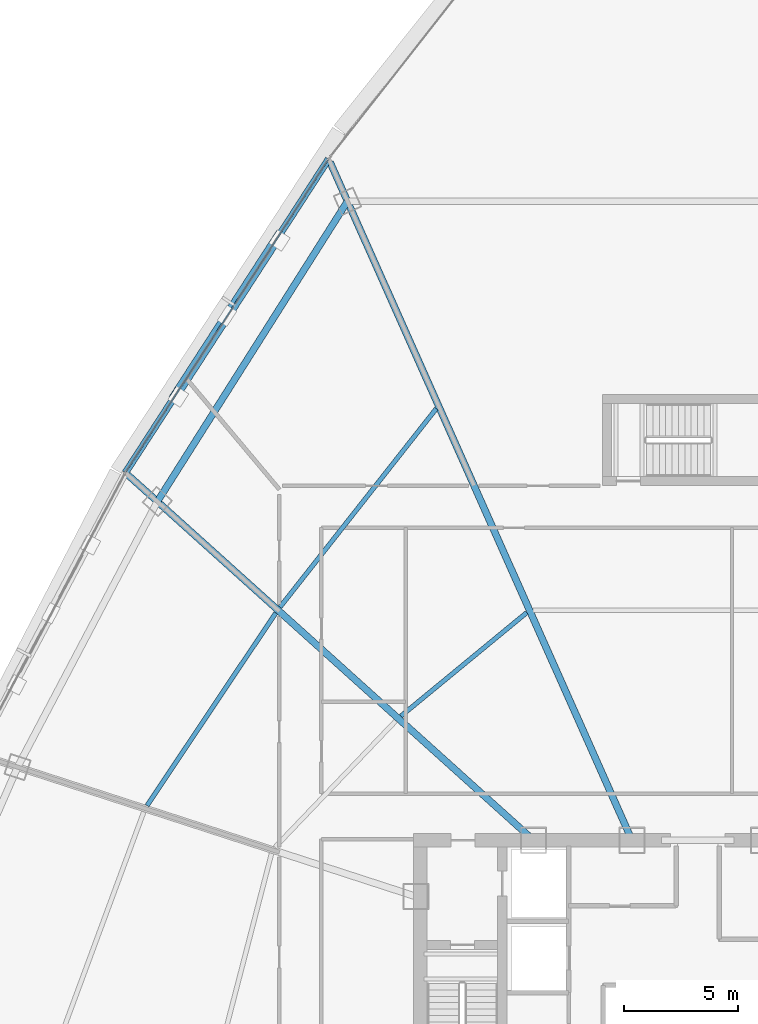
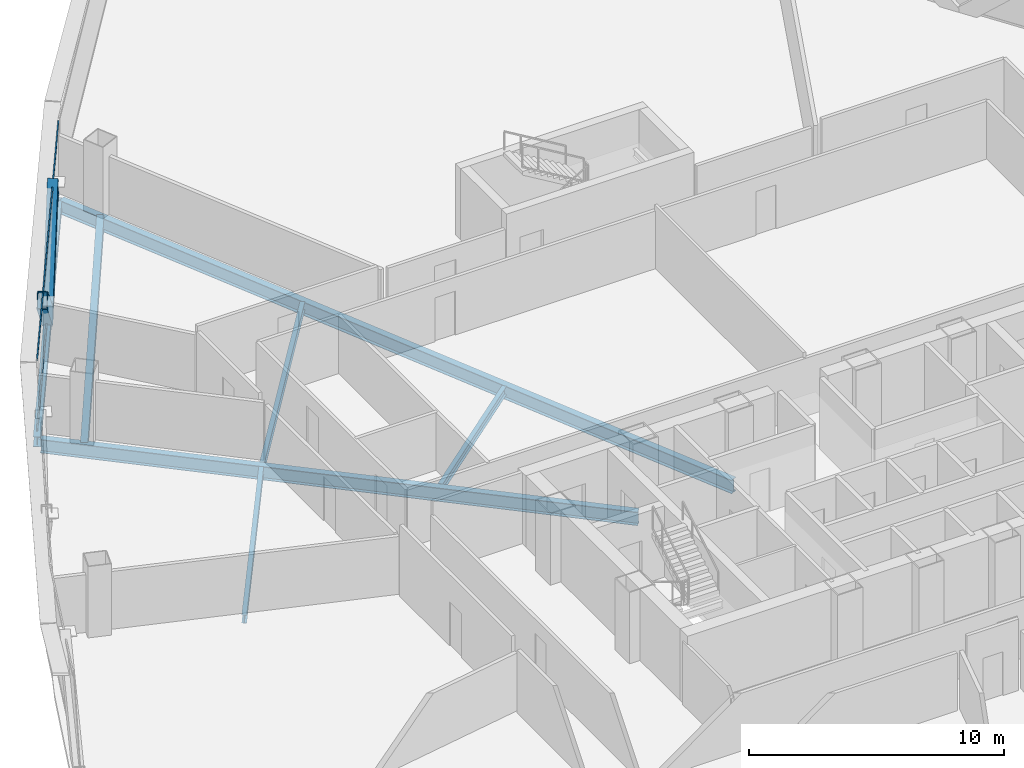
# One storey, part 17 of 42: 7 beams, 4 members, 1 element without a shape of its own.
"""IFC4 building model written with IfcOpenShell, lengths in metres."""

from ifc_helpers import new_model, si_unit, direction, frame, origin, origin_2d, place, context, subcontext, project, spatial, hollow_rectangle, i_section, extrude, source, transform, mapped, material, layer, layer_set, material_profile, profile_set, type_object, element, aggregate, save


model = new_model("IFC4")

# Units and contexts
model_context = context("Model", 3, precision=1e-05, world=origin(), true_north=direction((0.0, 1.0)))
body_context = subcontext(model_context, "Body", "Model", "MODEL_VIEW")
ifc_project = project(units=[si_unit("LENGTHUNIT", "METRE"), si_unit("AREAUNIT", "SQUARE_METRE"), si_unit("VOLUMEUNIT", "CUBIC_METRE"), si_unit("PLANEANGLEUNIT", "RADIAN"), si_unit("MASSUNIT", "GRAM", prefix="KILO"), si_unit("THERMODYNAMICTEMPERATUREUNIT", "KELVIN"), si_unit("POWERUNIT", "WATT")], contexts=[model_context])

# Site, building, storey
site_placement = place(None, origin())
site = spatial("IfcSite", under=ifc_project, at=site_placement, CompositionType="ELEMENT")
building_placement = place(site_placement, origin())
building = spatial("IfcBuilding", under=site, at=building_placement, Name="Yunzhuo Pagoda Commons", CompositionType="ELEMENT")
storey_placement = place(building_placement, frame((0.0, 0.0, 137.18994140625)))
storey = spatial("IfcBuildingStorey", under=building, at=storey_placement, Name="L34", CompositionType="ELEMENT", Elevation=137.18994140625)

# Beams
ifc_material_1 = material(Name="Structural steel Q355B", Category="steel")
ifc_material_profile_1 = material_profile(ifc_material_1, i_section(OverallWidth=0.300048828125, OverallDepth=0.488037109375, WebThickness=0.010986328125, FlangeThickness=0.01806640625, at=origin_2d()), Name="Structural steel Q355B")
ifc_profile_set_1 = profile_set([ifc_material_profile_1], Name="Structural steel Q355B")
beam_type_1 = type_object("IfcBeamType", Name="B-SP1 Beam HM 488x300x11x18", PredefinedType="BEAM", material=ifc_profile_set_1)
shared_shape_1 = source(origin(), body_context, "Body", "SweptSolid", [
    extrude(i_section(OverallWidth=0.300048828125, OverallDepth=0.488037109375, WebThickness=0.010986328125, FlangeThickness=0.01806640625, at=origin_2d()), origin(), (0.0, 0.0, 1.0), 16.43994140625),
])
beam_1_placement = place(storey_placement, frame((31.765380859375, 70.163818359375, -0.50390625), z_axis=(-0.543751172909, -0.839246484627, 0.0), x_axis=(0.839246484627, -0.543751172909, 0.0)))
element("IfcBeam", 1, at=beam_1_placement, inside=storey, type_object=beam_type_1, Name="L34 facade edge spandrel beam F3.1", PredefinedType="BEAM", context=body_context, shape_type="MappedRepresentation", body=[
    mapped(shared_shape_1, transform((0.0, 0.0, 0.0), scale=1.0)),
])
ifc_material_profile_2 = material_profile(ifc_material_1, i_section(OverallWidth=0.300048828125, OverallDepth=0.64990234375, WebThickness=0.012939453125, FlangeThickness=0.02197265625, at=origin_2d()), Name="Structural steel Q355B")
ifc_profile_set_2 = profile_set([ifc_material_profile_2], Name="Structural steel Q355B")
beam_type_2 = type_object("IfcBeamType", Name="B-RG2 Beam HN 650x300x13x22", PredefinedType="BEAM", material=ifc_profile_set_2)
shared_shape_2 = source(origin(), body_context, "Body", "SweptSolid", [
    extrude(i_section(OverallWidth=0.300048828125, OverallDepth=0.64990234375, WebThickness=0.012939453125, FlangeThickness=0.02197265625, at=origin_2d()), origin(), (0.0, 0.0, 1.0), 24.005859375),
])
beam_2_placement = place(storey_placement, frame((22.94140625, 56.26318359375, -0.584716796875), z_axis=(0.743136854915, -0.66913945846, 0.0), x_axis=(0.66913945846, 0.743136854915, 0.0)))
element("IfcBeam", 2, at=beam_2_placement, inside=storey, type_object=beam_type_2, Name="L34 radial floor girder F3C2", PredefinedType="BEAM", context=body_context, shape_type="MappedRepresentation", body=[
    mapped(shared_shape_2, transform((0.0, 0.0, 0.0), scale=1.0)),
])
shared_shape_3 = source(origin(), body_context, "Body", "SweptSolid", [
    extrude(i_section(OverallWidth=0.300048828125, OverallDepth=0.64990234375, WebThickness=0.012939453125, FlangeThickness=0.02197265625, at=origin_2d()), origin(), (0.0, 0.0, 1.0), 32.64453125),
])
beam_3_placement = place(storey_placement, frame((31.828369140625, 70.022216796875, -0.584716796875), z_axis=(0.406733058142, -0.91354705375, 0.0), x_axis=(0.91354705375, 0.406733058142, 0.0)))
element("IfcBeam", 3, at=beam_3_placement, inside=storey, type_object=beam_type_2, Name="L34 radial floor girder F3C1", PredefinedType="BEAM", context=body_context, shape_type="MappedRepresentation", body=[
    mapped(shared_shape_3, transform((0.0, 0.0, 0.0), scale=1.0)),
])
ifc_material_profile_3 = material_profile(ifc_material_1, i_section(OverallWidth=0.199951171875, OverallDepth=0.39990234375, WebThickness=0.008056640625, FlangeThickness=0.012939453125, at=origin_2d()), Name="Structural steel Q355B")
ifc_profile_set_3 = profile_set([ifc_material_profile_3], Name="Structural steel Q355B")
beam_type_3 = type_object("IfcBeamType", Name="B-JS1 Joist HN 400x200x8x13", PredefinedType="JOIST", material=ifc_profile_set_3)
shared_shape_4 = source(origin(), body_context, "Body", "SweptSolid", [
    extrude(i_section(OverallWidth=0.199951171875, OverallDepth=0.39990234375, WebThickness=0.008056640625, FlangeThickness=0.012939453125, at=origin_2d()), origin(), (0.0, 0.0, 1.0), 10.186767578125),
])
beam_4_placement = place(storey_placement, frame((29.440673828125, 50.19921875, -0.459716796875), z_axis=(-0.555872145938, -0.831267801235, 0.0), x_axis=(0.831267801235, -0.555872145938, 0.0)))
element("IfcBeam", 4, at=beam_4_placement, inside=storey, type_object=beam_type_3, Name="L34 composite ring joist 2.10", PredefinedType="JOIST", context=body_context, shape_type="MappedRepresentation", body=[
    mapped(shared_shape_4, transform((0.0, 0.0, 0.0), scale=1.0)),
])
shared_shape_5 = source(origin(), body_context, "Body", "SweptSolid", [
    extrude(i_section(OverallWidth=0.300048828125, OverallDepth=0.64990234375, WebThickness=0.012939453125, FlangeThickness=0.02197265625, at=origin_2d()), origin(), (0.0, 0.0, 1.0), 15.627685546875),
])
beam_5_placement = place(storey_placement, frame((32.593994140625, 68.302734375, -0.584716796875), z_axis=(-0.534952471728, -0.844882153316, 0.0), x_axis=(0.844882153316, -0.534952471728, 0.0)))
element("IfcBeam", 5, at=beam_5_placement, inside=storey, type_object=beam_type_2, Name="L34 column-ring beam 9", PredefinedType="BEAM", context=body_context, shape_type="MappedRepresentation", body=[
    mapped(shared_shape_5, transform((0.0, 0.0, 0.0), scale=1.0)),
])
shared_shape_6 = source(origin(), body_context, "Body", "SweptSolid", [
    extrude(i_section(OverallWidth=0.199951171875, OverallDepth=0.39990234375, WebThickness=0.008056640625, FlangeThickness=0.012939453125, at=origin_2d()), origin(), (0.0, 0.0, 1.0), 7.163818359375),
])
beam_6_placement = place(storey_placement, frame((40.47900390625, 50.21630859375, -0.459716796875), z_axis=(-0.772234119563, -0.635338071095, 0.0), x_axis=(0.635338071095, -0.772234119563, 0.0)))
element("IfcBeam", 6, at=beam_6_placement, inside=storey, type_object=beam_type_3, Name="L34 composite ring joist 1.9", PredefinedType="JOIST", context=body_context, shape_type="MappedRepresentation", body=[
    mapped(shared_shape_6, transform((0.0, 0.0, 0.0), scale=1.0)),
])
shared_shape_7 = source(origin(), body_context, "Body", "SweptSolid", [
    extrude(i_section(OverallWidth=0.199951171875, OverallDepth=0.39990234375, WebThickness=0.008056640625, FlangeThickness=0.012939453125, at=origin_2d()), origin(), (0.0, 0.0, 1.0), 11.109375),
])
beam_7_placement = place(storey_placement, frame((36.49951171875, 59.18505859375, -0.459716796875), z_axis=(-0.618600596935, -0.785705607382, 0.0), x_axis=(0.785705607382, -0.618600596935, 0.0)))
element("IfcBeam", 7, at=beam_7_placement, inside=storey, type_object=beam_type_3, Name="L34 composite ring joist 2.9", PredefinedType="JOIST", context=body_context, shape_type="MappedRepresentation", body=[
    mapped(shared_shape_7, transform((0.0, 0.0, 0.0), scale=1.0)),
])

# Members
ifc_material_2 = material(Name="Structural steel Q420B", Category="steel")
ifc_material_profile_4 = material_profile(ifc_material_2, hollow_rectangle(XDim=0.419921875, YDim=0.719970703125, WallThickness=0.028076171875, at=origin_2d()), Name="Structural steel Q420B")
ifc_profile_set_4 = profile_set([ifc_material_profile_4], Name="Structural steel Q420B")
member_type_1 = type_object("IfcMemberType", Name="M-DL1 Brace BOX 720x420x28", PredefinedType="BRACE", material=ifc_profile_set_4)
shared_shape_8 = source(origin(), body_context, "Body", "SweptSolid", [
    extrude(hollow_rectangle(XDim=0.419921875, YDim=0.719970703125, WallThickness=0.028076171875, at=origin_2d()), origin(), (0.0, 0.0, 1.0), 5.516845703125),
])
member_1_placement = place(storey_placement, frame((27.295654296875, 63.26513671875, -0.260009765625), z_axis=(-0.405062153132, -0.625228679061, 0.667093509921), x_axis=(0.839262424765, -0.543726569498, 0.0)))
element("IfcMember", 8, at=member_1_placement, inside=storey, type_object=member_type_1, Name="L34 facade diamond brace F3.1R", PredefinedType="BRACE", context=body_context, shape_type="MappedRepresentation", body=[
    mapped(shared_shape_8, transform((0.0, 0.0, 0.0), scale=1.0)),
])
shared_shape_9 = source(origin(), body_context, "Body", "SweptSolid", [
    extrude(hollow_rectangle(XDim=0.419921875, YDim=0.719970703125, WallThickness=0.028076171875, at=origin_2d()), origin(), (0.0, 0.0, 1.0), 5.51708984375),
])
member_2_placement = place(storey_placement, frame((27.295654296875, 63.26513671875, -0.260009765625), z_axis=(0.405087937318, 0.625244424991, 0.667063094509), x_axis=(-0.839252879718, 0.543741302353, 0.0)))
element("IfcMember", 9, at=member_2_placement, inside=storey, type_object=member_type_1, Name="L34 facade diamond brace F3.1L", PredefinedType="BRACE", context=body_context, shape_type="MappedRepresentation", body=[
    mapped(shared_shape_9, transform((0.0, 0.0, 0.0), scale=1.0)),
])

# Curtain wall, members
ifc_material_3 = material(Name="Anodized aluminium 6063-T6", Category="aluminium")
ifc_layer = layer(ifc_material_3, 0.14990234375)
ifc_layer_set = layer_set([ifc_layer], Name="Anodized aluminium 6063-T6")
curtain_wall_type = type_object("IfcCurtainWallType", Name="CW-MID Mid-Zone Ribbon Curtain Wall", PredefinedType="NOTDEFINED", material=ifc_layer_set)
curtain_wall_placement = place(storey_placement, origin())
curtain_wall = element("IfcCurtainWall", 10, at=curtain_wall_placement, inside=storey, type_object=curtain_wall_type, Name="L34 curtain wall CW-L34-F3B2", PredefinedType="NOTDEFINED")
ifc_material_profile_5 = material_profile(ifc_material_3, hollow_rectangle(XDim=0.054931640625, YDim=0.1298828125, WallThickness=0.00341796875, at=origin_2d()), Name="Anodized aluminium 6063-T6")
ifc_profile_set_5 = profile_set([ifc_material_profile_5], Name="Anodized aluminium 6063-T6")
member_type_2 = type_object("IfcMemberType", Name="CW-MID-T Transom RHS 130x55x3.5", PredefinedType="USERDEFINED", material=ifc_profile_set_5)
shared_shape_10 = source(origin(), body_context, "Body", "SweptSolid", [
    extrude(hollow_rectangle(XDim=0.054931640625, YDim=0.1298828125, WallThickness=0.00341796875, at=origin_2d()), origin(), (0.0, 0.0, 1.0), 16.319580078125),
])
member_3_placement = place(storey_placement, frame((31.732666015625, 70.11328125, 0.027587890625), z_axis=(-0.543746793414, -0.839249322104, 0.0), x_axis=(0.839249322104, -0.543746793414, 0.0)))
member_3 = element("IfcMember", 11, at=member_3_placement, type_object=member_type_2, Name="CW transom 1.1", ObjectType="TRANSOM", PredefinedType="USERDEFINED", context=body_context, shape_type="MappedRepresentation", body=[
    mapped(shared_shape_10, transform((0.0, 0.0, 0.0), scale=1.0)),
])
member_4_placement = place(storey_placement, frame((31.732666015625, 70.11328125, 3.392822265625), z_axis=(-0.543746793414, -0.839249322104, 0.0), x_axis=(0.839249322104, -0.543746793414, 0.0)))
member_4 = element("IfcMember", 12, at=member_4_placement, type_object=member_type_2, Name="CW transom 1.2", ObjectType="TRANSOM", PredefinedType="USERDEFINED", context=body_context, shape_type="MappedRepresentation", body=[
    mapped(shared_shape_10, transform((0.0, 0.0, 0.0), scale=1.0)),
])
aggregate(curtain_wall, [member_3, member_4])

save(model, "model.ifc")
